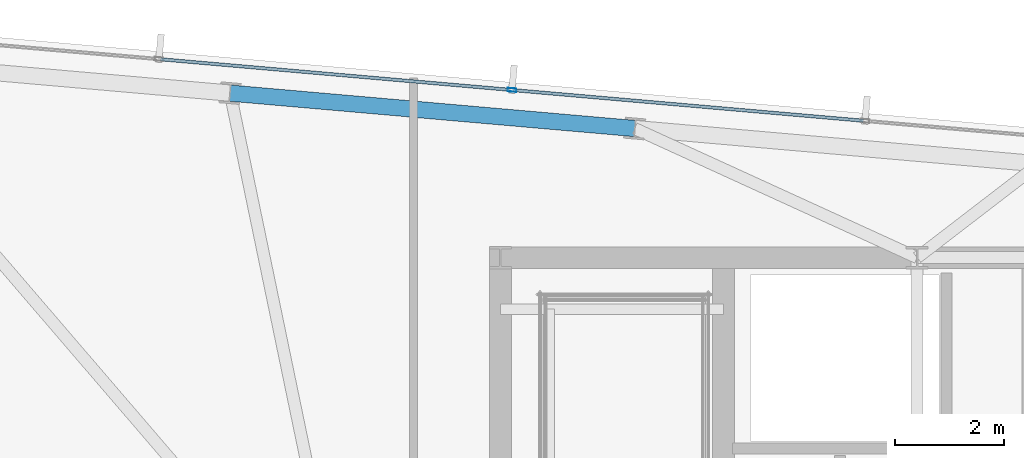
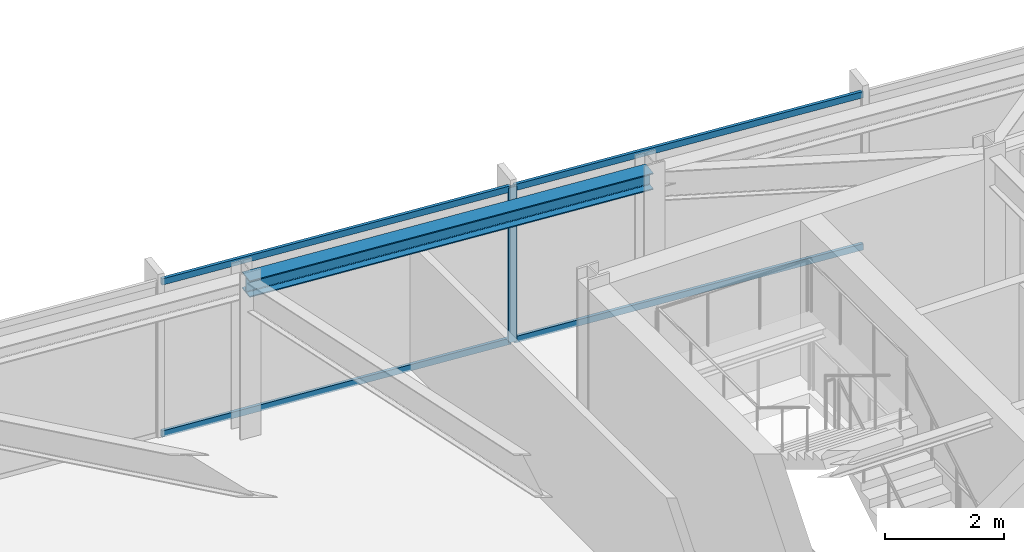
# One storey, part 24 of 32: 5 members, 1 beam, 1 element without a shape of its own.
"""IFC4 building model written with IfcOpenShell, lengths in metres."""

from ifc_helpers import new_model, si_unit, direction, frame, origin, origin_2d, place, context, subcontext, project, spatial, hollow_rectangle, i_section, extrude, material, material_profile, profile_set, type_object, element, aggregate, save


model = new_model("IFC4")

# Units and contexts
model_context = context("Model", 3, precision=1e-05, world=origin(), true_north=direction((0.0, 1.0)))
body_context = subcontext(model_context, "Body", "Model", "MODEL_VIEW")
ifc_project = project(units=[si_unit("LENGTHUNIT", "METRE"), si_unit("AREAUNIT", "SQUARE_METRE"), si_unit("VOLUMEUNIT", "CUBIC_METRE"), si_unit("PLANEANGLEUNIT", "RADIAN"), si_unit("MASSUNIT", "GRAM", prefix="KILO")], contexts=[model_context])

# Site, building, storey
site_placement = place(None, origin())
site = spatial("IfcSite", under=ifc_project, at=site_placement, CompositionType="ELEMENT")
building_placement = place(site_placement, origin())
building = spatial("IfcBuilding", under=site, at=building_placement, Name="Yelkora Congress Tower", CompositionType="ELEMENT")
storey_placement = place(building_placement, frame((0.0, 0.0, 262.5)))
storey = spatial("IfcBuildingStorey", under=building, at=storey_placement, Name="L73", CompositionType="ELEMENT", Elevation=262.5)

# Beam
ifc_material_1 = material(Name="Steel S355J2", Category="steel")
ifc_material_profile_1 = material_profile(ifc_material_1, i_section(OverallWidth=0.300048828125, OverallDepth=0.340087890625, WebThickness=0.011962890625, FlangeThickness=0.021484375, FilletRadius=0.027099609375, at=origin_2d()), Name="HEB 340")
ifc_profile_set_1 = profile_set([ifc_material_profile_1], Name="Steel S355J2")
beam_type = type_object("IfcBeamType", Name="BM-SPAN-HEB340", PredefinedType="SPANDREL", material=ifc_profile_set_1)
beam_placement = place(storey_placement, frame((25.513916015625, 48.57958984375, 3.010009765625), z_axis=(-0.996196266663, 0.087137812034, 0.0), x_axis=(-0.087137812034, -0.996196266663, 0.0)))
element("IfcBeam", 1, at=beam_placement, inside=storey, type_object=beam_type, Name="L73 Perimeter Beam 11", PredefinedType="SPANDREL", context=body_context, shape_type="SweptSolid", body=[
    extrude(i_section(OverallWidth=0.300048828125, OverallDepth=0.340087890625, WebThickness=0.011962890625, FlangeThickness=0.021484375, FilletRadius=0.027099609375, at=origin_2d()), origin(), (0.0, 0.0, 1.0), 7.483642578125),
])

# Curtain wall, members
ifc_material_2 = material(Name="Anodised aluminium and insulated glass", Category="aluminium")
curtain_wall_type = type_object("IfcCurtainWallType", Name="CW-SYS-B5", PredefinedType="NOTDEFINED", material=ifc_material_2)
curtain_wall_placement = place(storey_placement, origin())
curtain_wall = element("IfcCurtainWall", 2, at=curtain_wall_placement, inside=storey, type_object=curtain_wall_type, Name="L73 Unitised Curtain Wall 10", PredefinedType="NOTDEFINED")
ifc_material_3 = material(Name="Anodised aluminium 6063-T6", Category="aluminium")
ifc_material_profile_2 = material_profile(ifc_material_3, hollow_rectangle(XDim=0.06494140625, YDim=0.159912109375, WallThickness=0.00390625, at=origin_2d()), Name="ALU 65x160x4")
ifc_profile_set_2 = profile_set([ifc_material_profile_2], Name="Anodised aluminium 6063-T6")
member_type_1 = type_object("IfcMemberType", Name="MEM-ML-B5", PredefinedType="MULLION", material=ifc_profile_set_2)
member_1_placement = place(storey_placement, frame((23.253173828125, 49.289306640625, 0.0), z_axis=(0.0, 0.0, 1.0), x_axis=(0.087156639893, 0.996194619601, 0.0)))
member_1 = element("IfcMember", 3, at=member_1_placement, type_object=member_type_1, Name="CW-B5 mullion 3", PredefinedType="MULLION", context=body_context, shape_type="SweptSolid", body=[
    extrude(hollow_rectangle(XDim=0.06494140625, YDim=0.159912109375, WallThickness=0.00390625, at=origin_2d()), origin(), (0.0, 0.0, 1.0), 3.179931640625),
])
ifc_material_profile_3 = material_profile(ifc_material_3, hollow_rectangle(XDim=0.06005859375, YDim=0.1298828125, WallThickness=0.00390625, at=origin_2d()), Name="ALU 60x130x4")
ifc_profile_set_3 = profile_set([ifc_material_profile_3], Name="Anodised aluminium 6063-T6")
member_type_2 = type_object("IfcMemberType", Name="MEM-TR-B5", PredefinedType="USERDEFINED", material=ifc_profile_set_3)
member_2_placement = place(storey_placement, frame((16.779052734375, 49.855712890625, 0.030029296875), z_axis=(0.996195971174, -0.087141190126, 0.0), x_axis=(0.087141190126, 0.996195971174, 0.0)))
member_2 = element("IfcMember", 4, at=member_2_placement, type_object=member_type_2, Name="CW-B5 transom 2.1", ObjectType="TRANSOM", PredefinedType="USERDEFINED", context=body_context, shape_type="SweptSolid", body=[
    extrude(hollow_rectangle(XDim=0.06005859375, YDim=0.1298828125, WallThickness=0.00390625, at=origin_2d()), origin(), (0.0, 0.0, 1.0), 6.46630859375),
])
member_3_placement = place(storey_placement, frame((16.779052734375, 49.855712890625, 3.14990234375), z_axis=(0.996195971174, -0.087141190126, 0.0), x_axis=(0.087141190126, 0.996195971174, 0.0)))
member_3 = element("IfcMember", 5, at=member_3_placement, type_object=member_type_2, Name="CW-B5 transom 2.2", ObjectType="TRANSOM", PredefinedType="USERDEFINED", context=body_context, shape_type="SweptSolid", body=[
    extrude(hollow_rectangle(XDim=0.06005859375, YDim=0.1298828125, WallThickness=0.00390625, at=origin_2d()), origin(), (0.0, 0.0, 1.0), 6.46630859375),
])
member_4_placement = place(storey_placement, frame((23.285400390625, 49.286376953125, 0.030029296875), z_axis=(0.996196257862, -0.087137912649, 0.0), x_axis=(0.087137912649, 0.996196257862, 0.0)))
member_4 = element("IfcMember", 6, at=member_4_placement, type_object=member_type_2, Name="CW-B5 transom 3.1", ObjectType="TRANSOM", PredefinedType="USERDEFINED", context=body_context, shape_type="SweptSolid", body=[
    extrude(hollow_rectangle(XDim=0.06005859375, YDim=0.1298828125, WallThickness=0.00390625, at=origin_2d()), origin(), (0.0, 0.0, 1.0), 6.466552734375),
])
member_5_placement = place(storey_placement, frame((23.285400390625, 49.286376953125, 3.14990234375), z_axis=(0.996196257862, -0.087137912649, 0.0), x_axis=(0.087137912649, 0.996196257862, 0.0)))
member_5 = element("IfcMember", 7, at=member_5_placement, type_object=member_type_2, Name="CW-B5 transom 3.2", ObjectType="TRANSOM", PredefinedType="USERDEFINED", context=body_context, shape_type="SweptSolid", body=[
    extrude(hollow_rectangle(XDim=0.06005859375, YDim=0.1298828125, WallThickness=0.00390625, at=origin_2d()), origin(), (0.0, 0.0, 1.0), 6.466552734375),
])
aggregate(curtain_wall, [member_1, member_2, member_3, member_4, member_5])

save(model, "model.ifc")
